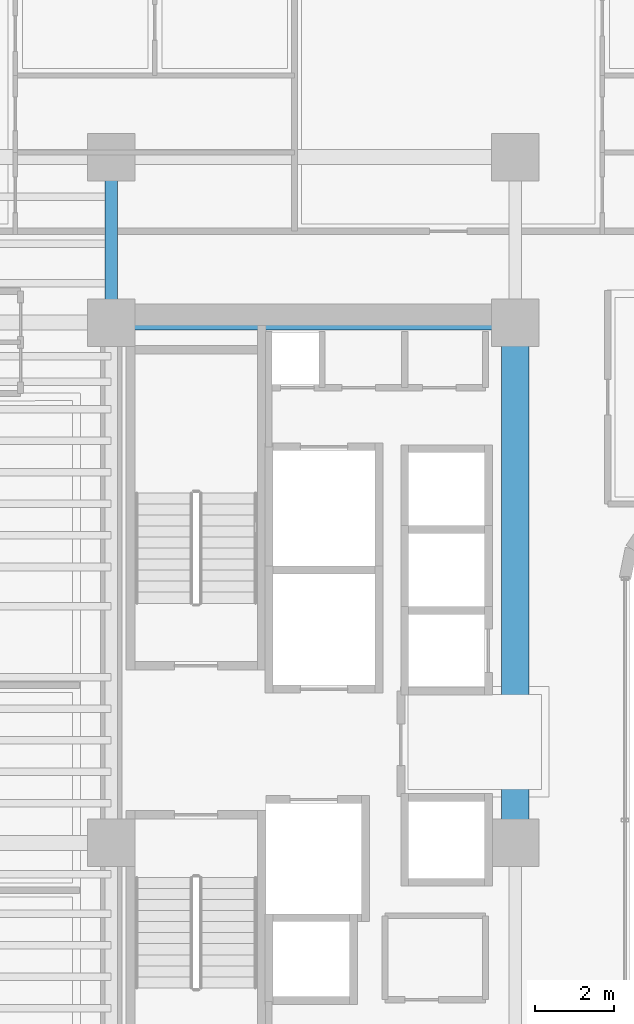
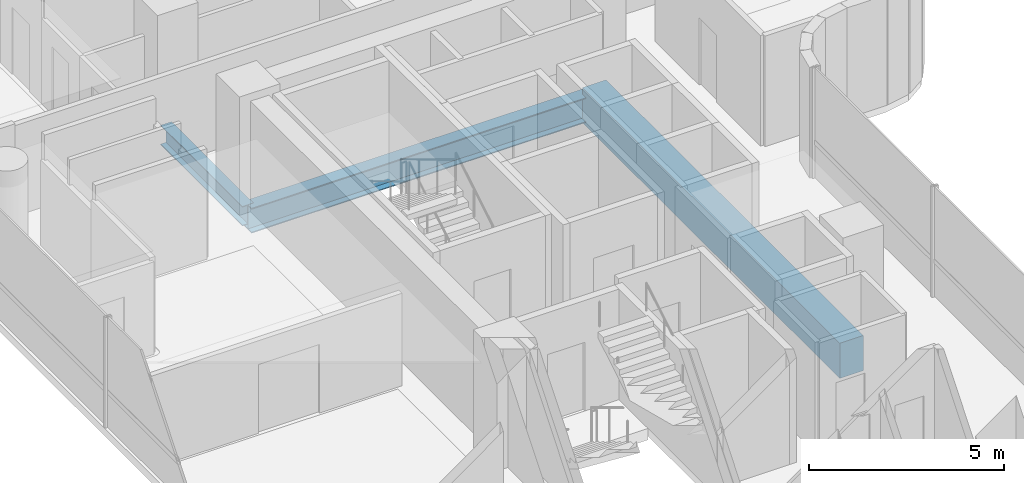
# One storey, part 11 of 34: 3 beams.
"""IFC4 building model written with IfcOpenShell, lengths in metres."""

from ifc_helpers import new_model, si_unit, direction, frame, origin, origin_2d, place, context, subcontext, project, spatial, rectangle, i_section, extrude, source, transform, mapped, material, material_profile, profile_set, type_object, element, save


model = new_model("IFC4")

# Units and contexts
model_context = context("Model", 3, precision=1e-05, world=origin(), true_north=direction((0.0, 1.0)))
body_context = subcontext(model_context, "Body", "Model", "MODEL_VIEW")
ifc_project = project(units=[si_unit("LENGTHUNIT", "METRE"), si_unit("AREAUNIT", "SQUARE_METRE"), si_unit("VOLUMEUNIT", "CUBIC_METRE"), si_unit("PLANEANGLEUNIT", "RADIAN"), si_unit("MASSUNIT", "GRAM", prefix="KILO")], contexts=[model_context])

# Site, building, storey
site_placement = place(None, origin())
site = spatial("IfcSite", under=ifc_project, at=site_placement, CompositionType="ELEMENT")
building_placement = place(site_placement, origin())
building = spatial("IfcBuilding", under=site, at=building_placement, Name="Valdorenza Pilgrim Sanctuary Tower", CompositionType="ELEMENT")
storey_placement = place(building_placement, frame((0.0, 0.0, 161.199951171875)))
storey = spatial("IfcBuildingStorey", under=building, at=storey_placement, Name="L41", CompositionType="ELEMENT", Elevation=161.199951171875)

# Beams
ifc_material_1 = material(Name="Concrete C50/60", Category="concrete")
ifc_material_profile_1 = material_profile(ifc_material_1, rectangle(XDim=0.699951171875, YDim=1.10009765625, at=origin_2d()), Name="RC 1100x700")
ifc_profile_set_1 = profile_set([ifc_material_profile_1], Name="Concrete C50/60")
beam_type_1 = type_object("IfcBeamType", Name="STR-BM-LNT-1100", PredefinedType="LINTEL", material=ifc_profile_set_1)
shared_shape_1 = source(origin(), body_context, "Body", "SweptSolid", [
    extrude(rectangle(XDim=0.699951171875, YDim=1.10009765625, at=origin_2d()), origin(), (0.0, 0.0, 1.0), 13.2001953125),
])
beam_1_placement = place(storey_placement, frame((-12.39990234375, -2.60009765625, -0.58984375), z_axis=(0.0, 1.0, 0.0), x_axis=(-1.0, 0.0, 0.0)))
element("IfcBeam", 1, at=beam_1_placement, inside=storey, type_object=beam_type_1, Name="L41 Core A Coupling Lintel Girder", PredefinedType="LINTEL", context=body_context, shape_type="MappedRepresentation", body=[
    mapped(shared_shape_1, transform((0.0, 0.0, 0.0), x_axis=(1.0, 0.0, 0.0), y_axis=(0.0, 1.0, 0.0), z_axis=(0.0, 0.0, 1.0), scale=1.0)),
])
ifc_material_2 = material(Name="Steel ASTM A992 Grade 50", Category="steel")
ifc_material_profile_2 = material_profile(ifc_material_2, i_section(OverallWidth=0.323974609375, OverallDepth=0.611083984375, WebThickness=0.0126953125, FlangeThickness=0.01904296875, at=origin_2d()), Name="W24X104")
ifc_profile_set_2 = profile_set([ifc_material_profile_2], Name="Steel ASTM A992 Grade 50")
beam_type_2 = type_object("IfcBeamType", Name="STR-BM-GRD-W24B", PredefinedType="BEAM", material=ifc_profile_set_2)
shared_shape_2 = source(origin(), body_context, "Body", "SweptSolid", [
    extrude(i_section(OverallWidth=0.323974609375, OverallDepth=0.611083984375, WebThickness=0.0126953125, FlangeThickness=0.01904296875, at=origin_2d()), origin(), (0.0, 0.0, 1.0), 4.199951171875),
])
beam_2_placement = place(storey_placement, frame((-22.64990234375, 10.60009765625, -0.54541015625), z_axis=(0.0, 1.0, 0.0), x_axis=(-1.0, 0.0, 0.0)))
element("IfcBeam", 2, at=beam_2_placement, inside=storey, type_object=beam_type_2, Name="L41 Core Tie Girder CA-W-N1N2", PredefinedType="BEAM", context=body_context, shape_type="MappedRepresentation", body=[
    mapped(shared_shape_2, transform((0.0, 0.0, 0.0), x_axis=(1.0, 0.0, 0.0), y_axis=(0.0, 1.0, 0.0), z_axis=(0.0, 0.0, 1.0), scale=1.0)),
])
ifc_material_profile_3 = material_profile(ifc_material_2, i_section(OverallWidth=0.382080078125, OverallDepth=0.779052734375, WebThickness=0.01806640625, FlangeThickness=0.030029296875, at=origin_2d()), Name="W30X191")
ifc_profile_set_3 = profile_set([ifc_material_profile_3], Name="Steel ASTM A992 Grade 50")
beam_type_3 = type_object("IfcBeamType", Name="STR-BM-GRD-W30", PredefinedType="BEAM", material=ifc_profile_set_3)
shared_shape_3 = source(origin(), body_context, "Body", "SweptSolid", [
    extrude(i_section(OverallWidth=0.382080078125, OverallDepth=0.779052734375, WebThickness=0.01806640625, FlangeThickness=0.030029296875, at=origin_2d()), origin(), (0.0, 0.0, 1.0), 10.25),
])
beam_3_placement = place(storey_placement, frame((-22.64990234375, 10.60009765625, -0.62939453125), z_axis=(1.0, 0.0, 0.0), x_axis=(0.0, 1.0, 0.0)))
element("IfcBeam", 3, at=beam_3_placement, inside=storey, type_object=beam_type_3, Name="L41 Floor Girder CA-XC-N1", PredefinedType="BEAM", context=body_context, shape_type="MappedRepresentation", body=[
    mapped(shared_shape_3, transform((0.0, 0.0, 0.0), x_axis=(1.0, 0.0, 0.0), y_axis=(0.0, 1.0, 0.0), z_axis=(0.0, 0.0, 1.0), scale=1.0)),
])

save(model, "model.ifc")
